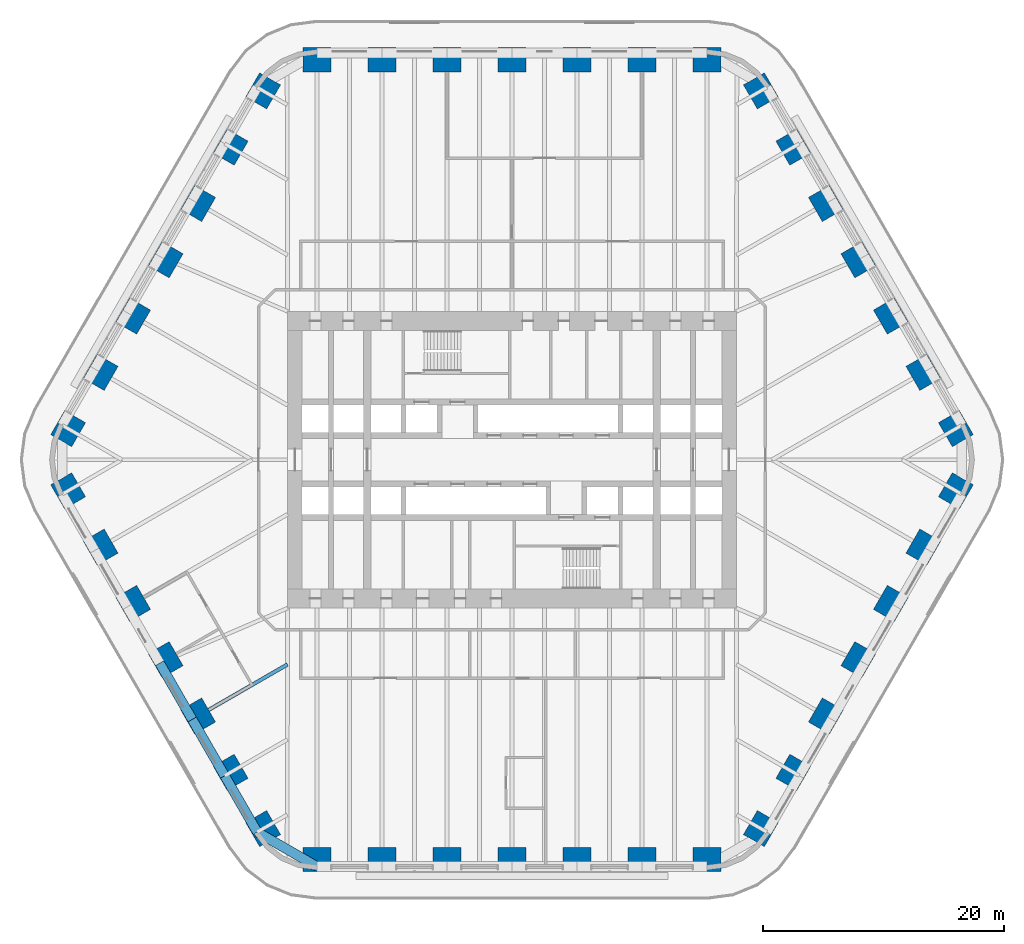
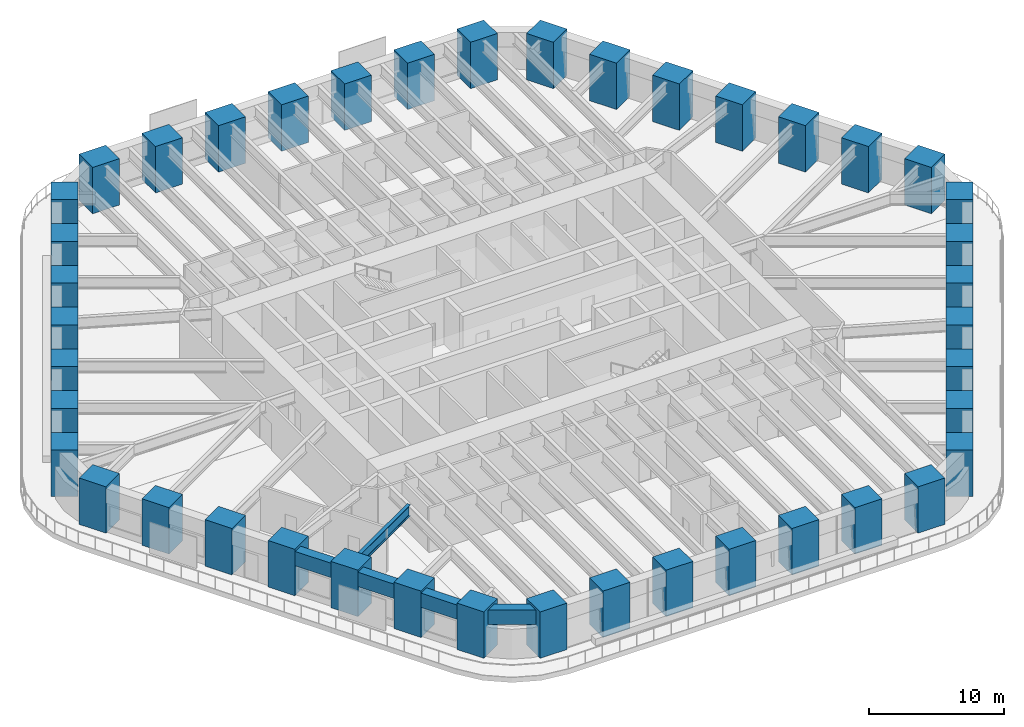
# One storey, part 1 of 23: 42 columns, 5 beams.
"""IFC4 building model written with IfcOpenShell, lengths in metres."""

from ifc_helpers import new_model, si_unit, direction, frame, origin, origin_2d, place, context, subcontext, project, spatial, rectangle, i_section, extrude, material, material_profile, profile_set, type_object, element, save


model = new_model("IFC4")

# Units and contexts
model_context = context("Model", 3, precision=1e-05, world=origin(), true_north=direction((0.0, 1.0)))
body_context = subcontext(model_context, "Body", "Model", "MODEL_VIEW")
ifc_project = project(units=[si_unit("LENGTHUNIT", "METRE"), si_unit("AREAUNIT", "SQUARE_METRE"), si_unit("VOLUMEUNIT", "CUBIC_METRE"), si_unit("PLANEANGLEUNIT", "RADIAN"), si_unit("MASSUNIT", "GRAM", prefix="KILO")], contexts=[model_context])

# Site, building, storey
site_placement = place(None, origin())
site = spatial("IfcSite", under=ifc_project, at=site_placement, CompositionType="ELEMENT")
building_placement = place(site_placement, origin())
building = spatial("IfcBuilding", under=site, at=building_placement, Name="Tarfa Lantern Tower", CompositionType="ELEMENT")
storey_placement = place(building_placement, frame((0.0, 0.0, 27.699951171875)))
storey = spatial("IfcBuildingStorey", under=building, at=storey_placement, Name="L05", CompositionType="ELEMENT", Elevation=27.699951171875)

# Columns
ifc_material_1 = material(Name="Concrete C80/95", Category="concrete")
ifc_material_profile_1 = material_profile(ifc_material_1, rectangle(XDim=2.300048828125, YDim=2.0, at=origin_2d()), Name="RC 2300x2000")
ifc_profile_set_1 = profile_set([ifc_material_profile_1], Name="Concrete C80/95")
column_type = type_object("IfcColumnType", Name="TC1 RC 2300x2000", PredefinedType="COLUMN", material=ifc_profile_set_1)
for number, where, z_axis, x_axis, name in (
    (1, (36.791748046875, 2.574951171875, 0.0), (0.0, 0.0, 1.0), (-0.5, 0.866025403784, 0.0), "Tube column NE0"),
    (2, (34.097412109375, 7.24169921875, 0.0), (0.0, 0.0, 1.0), (-0.5, 0.866025403784, 0.0), "Tube column NE1"),
    (3, (31.403076171875, 11.908447265625, 0.0), (0.0, 0.0, 1.0), (-0.5, 0.866025403784, 0.0), "Tube column NE2"),
    (4, (28.708740234375, 16.574951171875, 0.0), (0.0, 0.0, 1.0), (-0.5, 0.866025403784, 0.0), "Tube column NE3"),
    (5, (26.014404296875, 21.24169921875, 0.0), (0.0, 0.0, 1.0), (-0.5, 0.866025403784, 0.0), "Tube column NE4"),
    (6, (23.320068359375, 25.908447265625, 0.0), (0.0, 0.0, 1.0), (-0.5, 0.866025403784, 0.0), "Tube column NE5"),
    (7, (20.625732421875, 30.574951171875, 0.0), (0.0, 0.0, 1.0), (-0.5, 0.866025403784, 0.0), "Tube column NE6"),
    (8, (16.165771484375, 33.14990234375, 0.0), (0.0, 0.0, 1.0), (-1.0, 0.0, 0.0), "Tube column N0"),
    (9, (10.777099609375, 33.14990234375, 0.0), (0.0, 0.0, 1.0), (-1.0, 0.0, 0.0), "Tube column N1"),
    (10, (5.388671875, 33.14990234375, 0.0), (0.0, 0.0, 1.0), (-1.0, 0.0, 0.0), "Tube column N2"),
    (11, (0.0, 33.14990234375, 0.0), (0.0, 0.0, 1.0), (-1.0, 0.0, 0.0), "Tube column N3"),
    (12, (-5.388671875, 33.14990234375, 0.0), (0.0, 0.0, 1.0), (-1.0, 0.0, 0.0), "Tube column N4"),
    (13, (-10.777099609375, 33.14990234375, 0.0), (0.0, 0.0, 1.0), (-1.0, 0.0, 0.0), "Tube column N5"),
    (14, (-16.165771484375, 33.14990234375, 0.0), (0.0, 0.0, 1.0), (-1.0, 0.0, 0.0), "Tube column N6"),
    (15, (-20.625732421875, 30.574951171875, 0.0), (0.0, 0.0, 1.0), (-0.5, -0.866025403784, 0.0), "Tube column NW0"),
    (16, (-23.320068359375, 25.908447265625, 0.0), (0.0, 0.0, 1.0), (-0.5, -0.866025403784, 0.0), "Tube column NW1"),
    (17, (-26.014404296875, 21.24169921875, 0.0), (0.0, 0.0, 1.0), (-0.5, -0.866025403784, 0.0), "Tube column NW2"),
    (18, (-28.708740234375, 16.574951171875, 0.0), (0.0, 0.0, 1.0), (-0.5, -0.866025403784, 0.0), "Tube column NW3"),
    (19, (-31.403076171875, 11.908447265625, 0.0), (0.0, 0.0, 1.0), (-0.5, -0.866025403784, 0.0), "Tube column NW4"),
    (20, (-34.097412109375, 7.24169921875, 0.0), (0.0, 0.0, 1.0), (-0.5, -0.866025403784, 0.0), "Tube column NW5"),
    (21, (-36.791748046875, 2.574951171875, 0.0), (0.0, 0.0, 1.0), (-0.5, -0.866025403784, 0.0), "Tube column NW6"),
    (22, (-36.791748046875, -2.574951171875, 0.0), (0.0, 0.0, 1.0), (0.5, -0.866025403784, 0.0), "Tube column SW0"),
    (23, (-34.097412109375, -7.24169921875, 0.0), (0.0, 0.0, 1.0), (0.5, -0.866025403784, 0.0), "Tube column SW1"),
    (24, (-31.403076171875, -11.908447265625, 0.0), (0.0, 0.0, 1.0), (0.5, -0.866025403784, 0.0), "Tube column SW2"),
    (25, (-28.708740234375, -16.574951171875, 0.0), (0.0, 0.0, 1.0), (0.5, -0.866025403784, 0.0), "Tube column SW3"),
    (26, (-26.014404296875, -21.24169921875, 0.0), (0.0, 0.0, 1.0), (0.5, -0.866025403784, 0.0), "Tube column SW4"),
    (27, (-23.320068359375, -25.908447265625, 0.0), (0.0, 0.0, 1.0), (0.5, -0.866025403784, 0.0), "Tube column SW5"),
    (28, (-20.625732421875, -30.574951171875, 0.0), (0.0, 0.0, 1.0), (0.5, -0.866025403784, 0.0), "Tube column SW6"),
    (29, (-16.165771484375, -33.14990234375, 0.0), (0.0, 0.0, 1.0), (1.0, 0.0, 0.0), "Tube column S0"),
    (30, (-10.777099609375, -33.14990234375, 0.0), (0.0, 0.0, 1.0), (1.0, 0.0, 0.0), "Tube column S1"),
    (31, (-5.388671875, -33.14990234375, 0.0), (0.0, 0.0, 1.0), (1.0, 0.0, 0.0), "Tube column S2"),
    (32, (0.0, -33.14990234375, 0.0), (0.0, 0.0, 1.0), (1.0, 0.0, 0.0), "Tube column S3"),
    (33, (5.388671875, -33.14990234375, 0.0), (0.0, 0.0, 1.0), (1.0, 0.0, 0.0), "Tube column S4"),
    (34, (10.777099609375, -33.14990234375, 0.0), (0.0, 0.0, 1.0), (1.0, 0.0, 0.0), "Tube column S5"),
    (35, (16.165771484375, -33.14990234375, 0.0), (0.0, 0.0, 1.0), (1.0, 0.0, 0.0), "Tube column S6"),
    (36, (20.625732421875, -30.574951171875, 0.0), (0.0, 0.0, 1.0), (0.5, 0.866025403784, 0.0), "Tube column SE0"),
    (37, (23.320068359375, -25.908447265625, 0.0), (0.0, 0.0, 1.0), (0.5, 0.866025403784, 0.0), "Tube column SE1"),
    (38, (26.014404296875, -21.24169921875, 0.0), (0.0, 0.0, 1.0), (0.5, 0.866025403784, 0.0), "Tube column SE2"),
    (39, (28.708740234375, -16.574951171875, 0.0), (0.0, 0.0, 1.0), (0.5, 0.866025403784, 0.0), "Tube column SE3"),
    (40, (31.403076171875, -11.908447265625, 0.0), (0.0, 0.0, 1.0), (0.5, 0.866025403784, 0.0), "Tube column SE4"),
    (41, (34.097412109375, -7.24169921875, 0.0), (0.0, 0.0, 1.0), (0.5, 0.866025403784, 0.0), "Tube column SE5"),
    (42, (36.791748046875, -2.574951171875, 0.0), (0.0, 0.0, 1.0), (0.5, 0.866025403784, 0.0), "Tube column SE6"),
):
    element("IfcColumn", number, at=place(storey_placement, frame(where, z_axis=z_axis, x_axis=x_axis)), inside=storey, type_object=column_type, Name=name, PredefinedType="COLUMN", context=body_context, shape_type="SweptSolid", body=[
        extrude(rectangle(XDim=2.300048828125, YDim=2.0, at=origin_2d()), origin(), (0.0, 0.0, 1.0), 4.199951171875),
    ])

# Beams
ifc_material_profile_2 = material_profile(ifc_material_1, rectangle(XDim=0.800048828125, YDim=1.300048828125, at=origin_2d()), Name="RC 800x1300")
ifc_profile_set_2 = profile_set([ifc_material_profile_2], Name="Concrete C80/95")
beam_type_1 = type_object("IfcBeamType", Name="EB1 RC 800x1300", PredefinedType="SPANDREL", material=ifc_profile_set_2)
beam_1_placement = place(storey_placement, frame((-29.202392578125, -16.860107421875, 3.35009765625), z_axis=(0.500017906299, -0.866015065331, 0.0), x_axis=(0.866015065331, 0.500017906299, 0.0)))
element("IfcBeam", 43, at=beam_1_placement, inside=storey, type_object=beam_type_1, Name="Edge beam SW3", PredefinedType="SPANDREL", context=body_context, shape_type="SweptSolid", body=[
    extrude(rectangle(XDim=0.800048828125, YDim=1.300048828125, at=origin_2d()), origin(), (0.0, 0.0, 1.0), 5.388427734375),
])
for number, where, z_axis, x_axis, name in (
    (44, (-26.508056640625, -21.526611328125, 3.35009765625), (0.499998287579, -0.866026392449, 0.0), (0.866026392449, 0.499998287579, 0.0), "Edge beam SW4"),
    (45, (-23.813720703125, -26.193359375, 3.35009765625), (0.499998287579, -0.866026392449, 0.0), (0.866026392449, 0.499998287579, 0.0), "Edge beam SW5"),
):
    element("IfcBeam", number, at=place(storey_placement, frame(where, z_axis=z_axis, x_axis=x_axis)), inside=storey, type_object=beam_type_1, Name=name, PredefinedType="SPANDREL", context=body_context, shape_type="SweptSolid", body=[
        extrude(rectangle(XDim=0.800048828125, YDim=1.300048828125, at=origin_2d()), origin(), (0.0, 0.0, 1.0), 5.388671875),
    ])
beam_2_placement = place(storey_placement, frame((-21.119384765625, -30.860107421875, 3.35009765625), z_axis=(0.866033479681, -0.499986011877, 0.0), x_axis=(0.499986011877, 0.866033479681, 0.0)))
element("IfcBeam", 46, at=beam_2_placement, inside=storey, type_object=beam_type_1, Name="Edge beam SW6", PredefinedType="SPANDREL", context=body_context, shape_type="SweptSolid", body=[
    extrude(rectangle(XDim=0.800048828125, YDim=1.300048828125, at=origin_2d()), origin(), (0.0, 0.0, 1.0), 5.719970703125),
])
ifc_material_2 = material(Name="Steel S460M", Category="steel")
ifc_material_profile_3 = material_profile(ifc_material_2, i_section(OverallWidth=0.302001953125, OverallDepth=1.008056640625, WebThickness=0.02099609375, FlangeThickness=0.0400390625, FilletRadius=0.030029296875, at=origin_2d()), Name="UB1016x305x349")
ifc_profile_set_3 = profile_set([ifc_material_profile_3], Name="Steel S460M")
beam_type_2 = type_object("IfcBeamType", Name="UB1016x305x349", PredefinedType="BEAM", material=ifc_profile_set_3)
beam_3_placement = place(storey_placement, frame((-26.508056640625, -21.526611328125, 3.49609375), z_axis=(0.866035355799, 0.49998276221, 0.0), x_axis=(-0.49998276221, 0.866035355799, 0.0)))
element("IfcBeam", 47, at=beam_3_placement, inside=storey, type_object=beam_type_2, Name="Floor beam SW4", PredefinedType="BEAM", context=body_context, shape_type="SweptSolid", body=[
    extrude(i_section(OverallWidth=0.302001953125, OverallDepth=1.008056640625, WebThickness=0.02099609375, FlangeThickness=0.0400390625, FilletRadius=0.030029296875, at=origin_2d()), origin(), (0.0, 0.0, 1.0), 9.119873046875),
])

save(model, "model.ifc")
